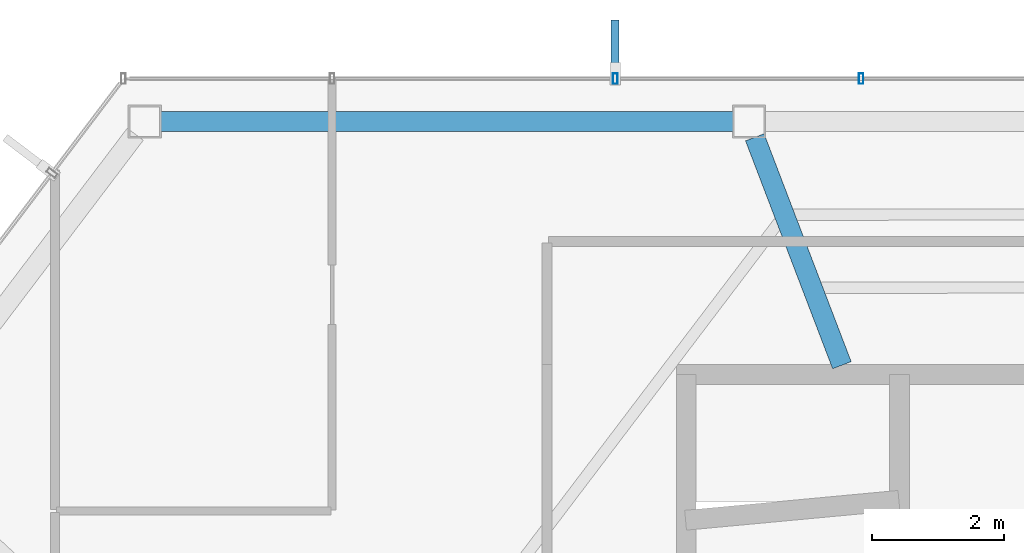
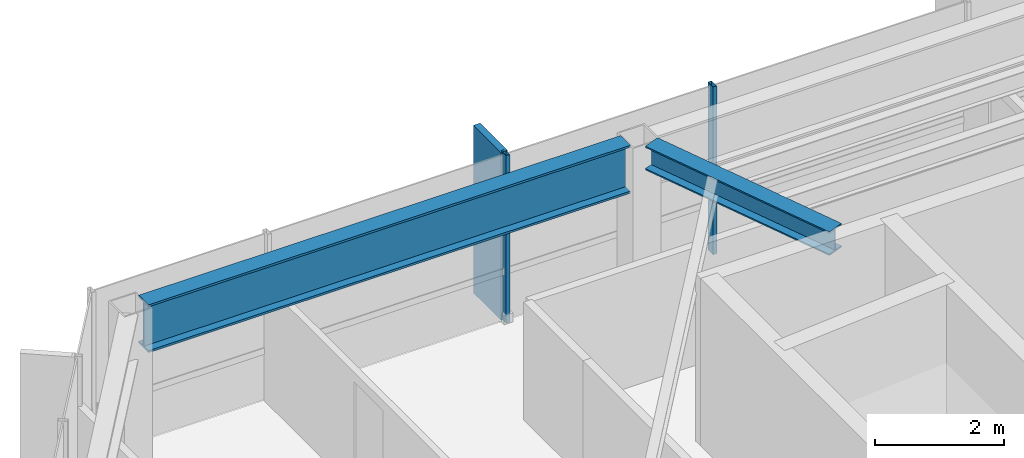
# One storey, part 11 of 25: 3 members, 2 beams, 1 element without a shape of its own.
"""IFC4 building model written with IfcOpenShell, lengths in metres."""

from ifc_helpers import new_model, si_unit, direction, frame, origin, origin_2d, place, context, subcontext, project, spatial, rectangle, hollow_rectangle, i_section, extrude, material, layer, layer_set, material_profile, profile_set, type_object, element, aggregate, save


model = new_model("IFC4")

# Units and contexts
model_context = context("Model", 3, precision=1e-05, world=origin(), true_north=direction((0.0, 1.0)))
body_context = subcontext(model_context, "Body", "Model", "MODEL_VIEW")
ifc_project = project(units=[si_unit("LENGTHUNIT", "METRE"), si_unit("AREAUNIT", "SQUARE_METRE"), si_unit("VOLUMEUNIT", "CUBIC_METRE"), si_unit("PLANEANGLEUNIT", "RADIAN"), si_unit("MASSUNIT", "GRAM", prefix="KILO")], contexts=[model_context])

# Site, building, storey
site_placement = place(None, origin())
site = spatial("IfcSite", under=ifc_project, at=site_placement, CompositionType="ELEMENT")
building_placement = place(site_placement, origin())
building = spatial("IfcBuilding", under=site, at=building_placement, Name="Zarrinselat Tower", CompositionType="ELEMENT")
storey_placement = place(building_placement, frame((0.0, 0.0, 261.800048828125)))
storey = spatial("IfcBuildingStorey", under=building, at=storey_placement, Name="L66", CompositionType="ELEMENT", Elevation=261.800048828125)

# Beams
ifc_material_1 = material(Name="Steel S355J2", Category="steel")
ifc_material_profile_1 = material_profile(ifc_material_1, i_section(OverallWidth=0.300048828125, OverallDepth=0.449951171875, WebThickness=0.013916015625, FlangeThickness=0.02587890625, at=origin_2d()), Name="HEB 450")
ifc_profile_set_1 = profile_set([ifc_material_profile_1], Name="Steel S355J2")
beam_type_1 = type_object("IfcBeamType", Name="BM-HEB450", PredefinedType="BEAM", material=ifc_profile_set_1)
beam_1_placement = place(storey_placement, frame((29.68505859375, 46.981201171875, 2.954833984375), z_axis=(0.356948692239, -0.934123991293, 0.0), x_axis=(0.934123991293, 0.356948692239, 0.0)))
element("IfcBeam", 1, at=beam_1_placement, inside=storey, type_object=beam_type_1, Name="L66 Radial Primary Girder RG04", PredefinedType="BEAM", context=body_context, shape_type="SweptSolid", body=[
    extrude(i_section(OverallWidth=0.300048828125, OverallDepth=0.449951171875, WebThickness=0.013916015625, FlangeThickness=0.02587890625, at=origin_2d()), origin(), (0.0, 0.0, 1.0), 3.683837890625),
])
ifc_material_2 = material(Name="Steel S460M", Category="steel")
ifc_material_profile_2 = material_profile(ifc_material_2, i_section(OverallWidth=0.302001953125, OverallDepth=0.909912109375, WebThickness=0.02099609375, FlangeThickness=0.0400390625, at=origin_2d()), Name="HEM 900")
ifc_profile_set_2 = profile_set([ifc_material_profile_2], Name="Steel S460M")
beam_type_2 = type_object("IfcBeamType", Name="BM-HEM900", PredefinedType="BEAM", material=ifc_profile_set_2)
beam_2_placement = place(storey_placement, frame((20.71435546875, 47.216796875, 2.724853515625), z_axis=(1.0, 0.0, 0.0), x_axis=(0.0, 1.0, 0.0)))
element("IfcBeam", 2, at=beam_2_placement, inside=storey, type_object=beam_type_2, Name="L66 Perimeter Spandrel Girder SP04", PredefinedType="BEAM", context=body_context, shape_type="SweptSolid", body=[
    extrude(i_section(OverallWidth=0.302001953125, OverallDepth=0.909912109375, WebThickness=0.02099609375, FlangeThickness=0.0400390625, at=origin_2d()), origin(), (0.0, 0.0, 1.0), 8.642822265625),
])

# Curtain wall, members
ifc_material_3 = material(Name="Extruded Aluminium Alloy EN AW-6063 T6", Category="aluminium")
ifc_layer = layer(ifc_material_3, 0.169921875)
ifc_layer_set = layer_set([ifc_layer], Name="Extruded Aluminium Alloy EN AW-6063 T6")
curtain_wall_type = type_object("IfcCurtainWallType", Name="CWS-RES", PredefinedType="NOTDEFINED", material=ifc_layer_set)
curtain_wall_placement = place(storey_placement, origin())
curtain_wall = element("IfcCurtainWall", 3, at=curtain_wall_placement, inside=storey, type_object=curtain_wall_type, Name="L66 Unitised Curtain Wall CW-L66-E01", PredefinedType="NOTDEFINED")
ifc_material_4 = material(Name="Extruded Aluminium Alloy EN AW-6063 T6", Category="aluminium")
ifc_material_profile_3 = material_profile(ifc_material_4, hollow_rectangle(XDim=0.070068359375, YDim=0.159912109375, WallThickness=0.00390625, at=origin_2d()), Name="RHS 160x70x4")
ifc_profile_set_3 = profile_set([ifc_material_profile_3], Name="Extruded Aluminium Alloy EN AW-6063 T6")
member_type_1 = type_object("IfcMemberType", Name="MEM-CW-MUL2", PredefinedType="MULLION", material=ifc_profile_set_3)
member_1_placement = place(storey_placement, frame((31.289794921875, 47.86669921875, 0.0), z_axis=(0.0, 0.0, 1.0), x_axis=(-1.0, 0.0, 0.0)))
member_1 = element("IfcMember", 4, at=member_1_placement, type_object=member_type_1, Name="CW-L66-E01 Mullion 8", PredefinedType="MULLION", context=body_context, shape_type="SweptSolid", body=[
    extrude(hollow_rectangle(XDim=0.070068359375, YDim=0.159912109375, WallThickness=0.00390625, at=origin_2d()), origin(), (0.0, 0.0, 1.0), 3.179931640625),
])
member_2_placement = place(storey_placement, frame((27.57763671875, 47.86669921875, 0.0), z_axis=(0.0, 0.0, 1.0), x_axis=(-1.0, 0.0, 0.0)))
member_2 = element("IfcMember", 5, at=member_2_placement, type_object=member_type_1, Name="CW-L66-E01 Mullion 9", PredefinedType="MULLION", context=body_context, shape_type="SweptSolid", body=[
    extrude(hollow_rectangle(XDim=0.070068359375, YDim=0.159912109375, WallThickness=0.00390625, at=origin_2d()), origin(), (0.0, 0.0, 1.0), 3.179931640625),
])
ifc_material_5 = material(Name="Honed Cream Travertine Stone", Category="masonry")
ifc_material_profile_4 = material_profile(ifc_material_5, rectangle(XDim=0.1201171875, YDim=0.85009765625, at=origin_2d()), Name="FIN 850x120")
ifc_profile_set_4 = profile_set([ifc_material_profile_4], Name="Honed Cream Travertine Stone")
member_type_2 = type_object("IfcMemberType", Name="MEM-STONE-FIN", PredefinedType="USERDEFINED", material=ifc_profile_set_4)
member_3_placement = place(storey_placement, frame((27.57763671875, 48.32666015625, 0.0), z_axis=(0.0, 0.0, 1.0), x_axis=(1.0, 0.0, 0.0)))
member_3 = element("IfcMember", 6, at=member_3_placement, type_object=member_type_2, Name="L66 Stone Shading Fin CW-L66-E01-09", ObjectType="FIN", PredefinedType="USERDEFINED", context=body_context, shape_type="SweptSolid", body=[
    extrude(rectangle(XDim=0.1201171875, YDim=0.85009765625, at=origin_2d()), origin(), (0.0, 0.0, 1.0), 3.179931640625),
])
aggregate(curtain_wall, [member_1, member_2, member_3])

save(model, "model.ifc")
